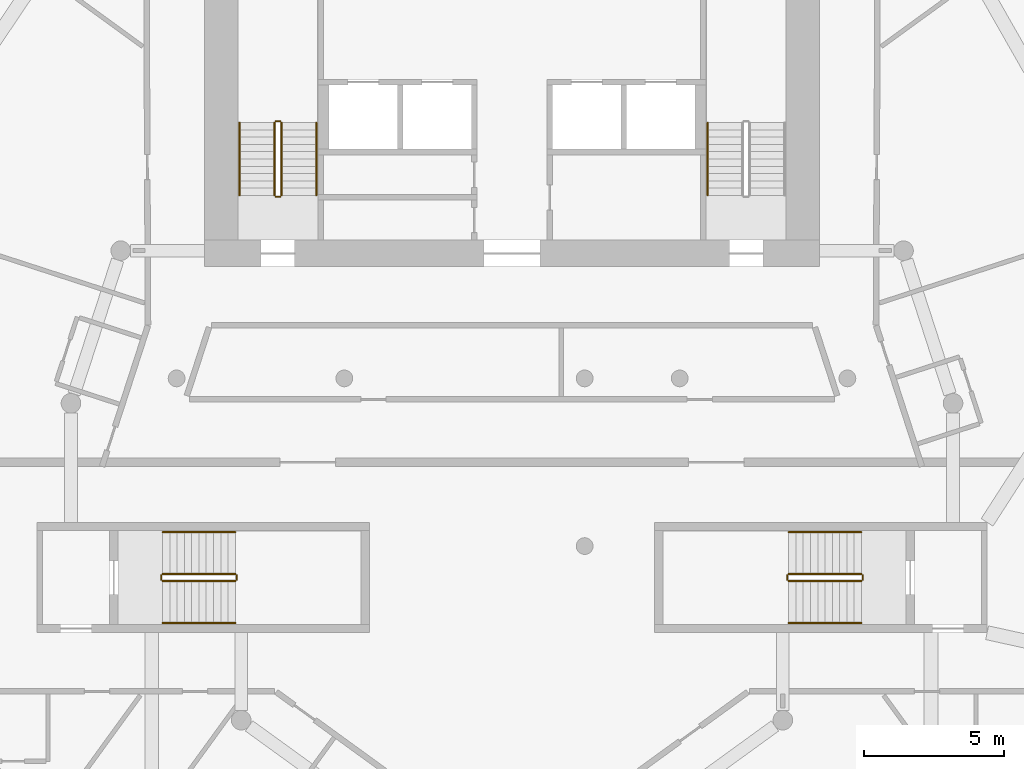
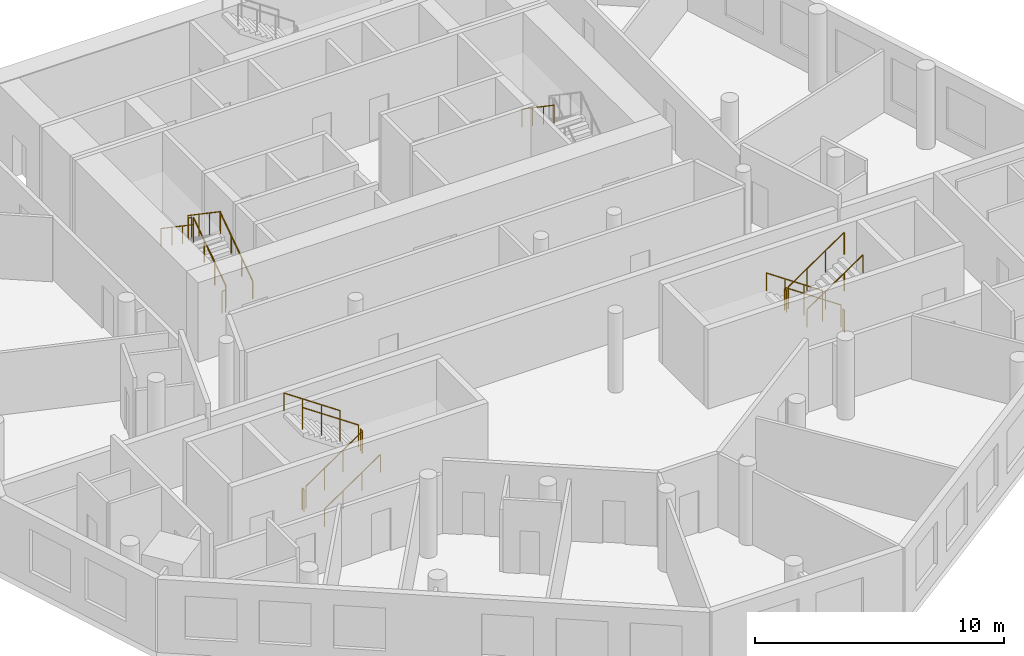
# One storey, part 8 of 9: 19 railings.
"""IFC4 building model written with IfcOpenShell, lengths in metres."""

from ifc_helpers import new_model, si_unit, direction, frame, origin, origin_2d, place, context, subcontext, project, spatial, circle, extrude, material, type_object, element, save


model = new_model("IFC4")

# Units and contexts
model_context = context("Model", 3, precision=1e-05, world=origin(), true_north=direction((0.0, 1.0)))
body_context = subcontext(model_context, "Body", "Model", "MODEL_VIEW")
ifc_project = project(units=[si_unit("LENGTHUNIT", "METRE"), si_unit("AREAUNIT", "SQUARE_METRE"), si_unit("VOLUMEUNIT", "CUBIC_METRE"), si_unit("PLANEANGLEUNIT", "RADIAN"), si_unit("MASSUNIT", "GRAM", prefix="KILO")], contexts=[model_context])

# Site, building, storey
site_placement = place(None, origin())
site = spatial("IfcSite", under=ifc_project, at=site_placement, CompositionType="ELEMENT")
building_placement = place(site_placement, origin())
building = spatial("IfcBuilding", under=site, at=building_placement, Name="White Candle Pilgrim Tower", CompositionType="ELEMENT")
storey_placement = place(building_placement, frame((0.0, 0.0, 179.800048828125)))
storey = spatial("IfcBuildingStorey", under=building, at=storey_placement, Name="L41", CompositionType="ELEMENT", Elevation=179.800048828125)

# Railings
ifc_material = material(Name="Stainless steel", Category="steel")
railing_type_1 = type_object("IfcRailingType", Name="Stair guard stainless steel 1100 mm", PredefinedType="GUARDRAIL", material=ifc_material)
railing_1_placement = place(storey_placement, frame((61.75, 73.550048828125, 0.17724609375)))
element("IfcRailing", 1, at=railing_1_placement, inside=storey, type_object=railing_type_1, Name="L41 ST1 stair guard 1", PredefinedType="GUARDRAIL", context=body_context, shape_type="SweptSolid", body=[
    extrude(circle(Radius=0.02392578125, at=origin_2d()), frame((0.0, 0.0, 1.076171875), z_axis=(0.0, 0.826215852431, 0.563353676824), x_axis=(-1.0, 0.0, 0.0)), (0.0, 0.0, 1.0), 3.146728515625),
    extrude(circle(Radius=0.02099609375, at=origin_2d()), origin(), (0.0, 0.0, 1.0), 1.052001953125),
    extrude(circle(Radius=0.02099609375, at=origin_2d()), frame((0.0, 0.86669921875, 0.5908203125)), (0.0, 0.0, 1.0), 1.052001953125),
    extrude(circle(Radius=0.02099609375, at=origin_2d()), frame((0.0, 1.733154296875, 1.181884765625)), (0.0, 0.0, 1.0), 1.052001953125),
    extrude(circle(Radius=0.02099609375, at=origin_2d()), frame((0.0, 2.599853515625, 1.772705078125)), (0.0, 0.0, 1.0), 1.052001953125),
])
railing_2_placement = place(storey_placement, frame((61.699951171875, 76.199951171875, 1.949951171875)))
element("IfcRailing", 2, at=railing_2_placement, inside=storey, type_object=railing_type_1, Name="L41 ST1 stair guard 2", PredefinedType="GUARDRAIL", context=body_context, shape_type="SweptSolid", body=[
    extrude(circle(Radius=0.02392578125, at=origin_2d()), frame((0.0, 0.0, 1.076171875), z_axis=(-1.0, 0.0, 0.0), x_axis=(0.0, -1.0, 0.0)), (0.0, 0.0, 1.0), 0.14990234375),
    extrude(circle(Radius=0.02099609375, at=origin_2d()), origin(), (0.0, 0.0, 1.0), 1.052001953125),
    extrude(circle(Radius=0.02099609375, at=origin_2d()), frame((-0.14990234375, 0.0, 0.0)), (0.0, 0.0, 1.0), 1.052001953125),
])
railing_3_placement = place(storey_placement, frame((61.5, 76.14990234375, 2.127197265625)))
element("IfcRailing", 3, at=railing_3_placement, inside=storey, type_object=railing_type_1, Name="L41 ST1 stair guard 3", PredefinedType="GUARDRAIL", context=body_context, shape_type="SweptSolid", body=[
    extrude(circle(Radius=0.02392578125, at=origin_2d()), frame((0.0, 0.0, 1.076171875), z_axis=(0.0, -0.826215852431, 0.563353676824), x_axis=(1.0, 0.0, 0.0)), (0.0, 0.0, 1.0), 3.146728515625),
    extrude(circle(Radius=0.02099609375, at=origin_2d()), origin(), (0.0, 0.0, 1.0), 1.052001953125),
    extrude(circle(Radius=0.02099609375, at=origin_2d()), frame((0.0, -0.86669921875, 0.5908203125)), (0.0, 0.0, 1.0), 1.052001953125),
    extrude(circle(Radius=0.02099609375, at=origin_2d()), frame((0.0, -1.733154296875, 1.181884765625)), (0.0, 0.0, 1.0), 1.052001953125),
    extrude(circle(Radius=0.02099609375, at=origin_2d()), frame((0.0, -2.599853515625, 1.772705078125)), (0.0, 0.0, 1.0), 1.052001953125),
])
railing_4_placement = place(storey_placement, frame((61.699951171875, 73.5, 0.0)))
element("IfcRailing", 4, at=railing_4_placement, inside=storey, type_object=railing_type_1, Name="L41 ST1 stair guard 4", PredefinedType="GUARDRAIL", context=body_context, shape_type="SweptSolid", body=[
    extrude(circle(Radius=0.02392578125, at=origin_2d()), frame((0.0, 0.0, 1.076171875), z_axis=(-1.0, 0.0, 0.0), x_axis=(0.0, -1.0, 0.0)), (0.0, 0.0, 1.0), 0.14990234375),
    extrude(circle(Radius=0.02099609375, at=origin_2d()), origin(), (0.0, 0.0, 1.0), 1.052001953125),
    extrude(circle(Radius=0.02099609375, at=origin_2d()), frame((-0.14990234375, 0.0, 0.0)), (0.0, 0.0, 1.0), 1.052001953125),
])
railing_5_placement = place(storey_placement, frame((82.5, 60.0, 0.17724609375)))
element("IfcRailing", 5, at=railing_5_placement, inside=storey, type_object=railing_type_1, Name="L41 ST4 stair guard 1", PredefinedType="GUARDRAIL", context=body_context, shape_type="SweptSolid", body=[
    extrude(circle(Radius=0.02392578125, at=origin_2d()), frame((0.0, 0.0, 1.076171875), z_axis=(-0.826240473404, 0.0, 0.563317565952), x_axis=(0.0, -1.0, 0.0)), (0.0, 0.0, 1.0), 3.14697265625),
    extrude(circle(Radius=0.02099609375, at=origin_2d()), origin(), (0.0, 0.0, 1.0), 1.052001953125),
    extrude(circle(Radius=0.02099609375, at=origin_2d()), frame((-0.86669921875, 0.0, 0.5908203125)), (0.0, 0.0, 1.0), 1.052001953125),
    extrude(circle(Radius=0.02099609375, at=origin_2d()), frame((-1.7333984375, 0.0, 1.181884765625)), (0.0, 0.0, 1.0), 1.052001953125),
    extrude(circle(Radius=0.02099609375, at=origin_2d()), frame((-2.60009765625, 0.0, 1.772705078125)), (0.0, 0.0, 1.0), 1.052001953125),
])
railing_6_placement = place(storey_placement, frame((79.85009765625, 59.949951171875, 1.949951171875)))
element("IfcRailing", 6, at=railing_6_placement, inside=storey, type_object=railing_type_1, Name="L41 ST4 stair guard 2", PredefinedType="GUARDRAIL", context=body_context, shape_type="SweptSolid", body=[
    extrude(circle(Radius=0.02392578125, at=origin_2d()), frame((0.0, 0.0, 1.076171875), z_axis=(0.0, -1.0, 0.0), x_axis=(1.0, 0.0, 0.0)), (0.0, 0.0, 1.0), 0.14990234375),
    extrude(circle(Radius=0.02099609375, at=origin_2d()), origin(), (0.0, 0.0, 1.0), 1.052001953125),
    extrude(circle(Radius=0.02099609375, at=origin_2d()), frame((0.0, -0.14990234375, 0.0)), (0.0, 0.0, 1.0), 1.052001953125),
])
railing_7_placement = place(storey_placement, frame((79.89990234375, 59.75, 2.127197265625)))
element("IfcRailing", 7, at=railing_7_placement, inside=storey, type_object=railing_type_1, Name="L41 ST4 stair guard 3", PredefinedType="GUARDRAIL", context=body_context, shape_type="SweptSolid", body=[
    extrude(circle(Radius=0.02392578125, at=origin_2d()), frame((0.0, 0.0, 1.076171875), z_axis=(0.826240473404, 0.0, 0.563317565952), x_axis=(0.0, 1.0, 0.0)), (0.0, 0.0, 1.0), 3.14697265625),
    extrude(circle(Radius=0.02099609375, at=origin_2d()), origin(), (0.0, 0.0, 1.0), 1.052001953125),
    extrude(circle(Radius=0.02099609375, at=origin_2d()), frame((0.86669921875, 0.0, 0.5908203125)), (0.0, 0.0, 1.0), 1.052001953125),
    extrude(circle(Radius=0.02099609375, at=origin_2d()), frame((1.7333984375, 0.0, 1.181884765625)), (0.0, 0.0, 1.0), 1.052001953125),
    extrude(circle(Radius=0.02099609375, at=origin_2d()), frame((2.60009765625, 0.0, 1.772705078125)), (0.0, 0.0, 1.0), 1.052001953125),
])
railing_8_placement = place(storey_placement, frame((82.550048828125, 59.949951171875, 0.0)))
element("IfcRailing", 8, at=railing_8_placement, inside=storey, type_object=railing_type_1, Name="L41 ST4 stair guard 4", PredefinedType="GUARDRAIL", context=body_context, shape_type="SweptSolid", body=[
    extrude(circle(Radius=0.02392578125, at=origin_2d()), frame((0.0, 0.0, 1.076171875), z_axis=(0.0, -1.0, 0.0), x_axis=(1.0, 0.0, 0.0)), (0.0, 0.0, 1.0), 0.14990234375),
    extrude(circle(Radius=0.02099609375, at=origin_2d()), origin(), (0.0, 0.0, 1.0), 1.052001953125),
    extrude(circle(Radius=0.02099609375, at=origin_2d()), frame((0.0, -0.14990234375, 0.0)), (0.0, 0.0, 1.0), 1.052001953125),
])
railing_9_placement = place(storey_placement, frame((57.5, 59.75, 0.17724609375)))
element("IfcRailing", 9, at=railing_9_placement, inside=storey, type_object=railing_type_1, Name="L41 ST5 stair guard 1", PredefinedType="GUARDRAIL", context=body_context, shape_type="SweptSolid", body=[
    extrude(circle(Radius=0.02392578125, at=origin_2d()), frame((0.0, 0.0, 1.076171875), z_axis=(0.826240473404, 0.0, 0.563317565952), x_axis=(0.0, 1.0, 0.0)), (0.0, 0.0, 1.0), 3.14697265625),
    extrude(circle(Radius=0.02099609375, at=origin_2d()), origin(), (0.0, 0.0, 1.0), 1.052001953125),
    extrude(circle(Radius=0.02099609375, at=origin_2d()), frame((0.86669921875, 0.0, 0.5908203125)), (0.0, 0.0, 1.0), 1.052001953125),
    extrude(circle(Radius=0.02099609375, at=origin_2d()), frame((1.7333984375, 0.0, 1.181884765625)), (0.0, 0.0, 1.0), 1.052001953125),
    extrude(circle(Radius=0.02099609375, at=origin_2d()), frame((2.60009765625, 0.0, 1.772705078125)), (0.0, 0.0, 1.0), 1.052001953125),
])
railing_10_placement = place(storey_placement, frame((60.14990234375, 59.800048828125, 1.949951171875)))
element("IfcRailing", 10, at=railing_10_placement, inside=storey, type_object=railing_type_1, Name="L41 ST5 stair guard 2", PredefinedType="GUARDRAIL", context=body_context, shape_type="SweptSolid", body=[
    extrude(circle(Radius=0.02392578125, at=origin_2d()), frame((0.0, 0.0, 1.076171875), z_axis=(0.0, 1.0, 0.0), x_axis=(-1.0, 0.0, 0.0)), (0.0, 0.0, 1.0), 0.14990234375),
    extrude(circle(Radius=0.02099609375, at=origin_2d()), origin(), (0.0, 0.0, 1.0), 1.052001953125),
    extrude(circle(Radius=0.02099609375, at=origin_2d()), frame((0.0, 0.14990234375, 0.0)), (0.0, 0.0, 1.0), 1.052001953125),
])
railing_11_placement = place(storey_placement, frame((60.10009765625, 60.0, 2.127197265625)))
element("IfcRailing", 11, at=railing_11_placement, inside=storey, type_object=railing_type_1, Name="L41 ST5 stair guard 3", PredefinedType="GUARDRAIL", context=body_context, shape_type="SweptSolid", body=[
    extrude(circle(Radius=0.02392578125, at=origin_2d()), frame((0.0, 0.0, 1.076171875), z_axis=(-0.826240473404, 0.0, 0.563317565952), x_axis=(0.0, -1.0, 0.0)), (0.0, 0.0, 1.0), 3.14697265625),
    extrude(circle(Radius=0.02099609375, at=origin_2d()), origin(), (0.0, 0.0, 1.0), 1.052001953125),
    extrude(circle(Radius=0.02099609375, at=origin_2d()), frame((-0.86669921875, 0.0, 0.5908203125)), (0.0, 0.0, 1.0), 1.052001953125),
    extrude(circle(Radius=0.02099609375, at=origin_2d()), frame((-1.7333984375, 0.0, 1.181884765625)), (0.0, 0.0, 1.0), 1.052001953125),
    extrude(circle(Radius=0.02099609375, at=origin_2d()), frame((-2.60009765625, 0.0, 1.772705078125)), (0.0, 0.0, 1.0), 1.052001953125),
])
railing_12_placement = place(storey_placement, frame((57.449951171875, 59.800048828125, 0.0)))
element("IfcRailing", 12, at=railing_12_placement, inside=storey, type_object=railing_type_1, Name="L41 ST5 stair guard 4", PredefinedType="GUARDRAIL", context=body_context, shape_type="SweptSolid", body=[
    extrude(circle(Radius=0.02392578125, at=origin_2d()), frame((0.0, 0.0, 1.076171875), z_axis=(0.0, 1.0, 0.0), x_axis=(-1.0, 0.0, 0.0)), (0.0, 0.0, 1.0), 0.14990234375),
    extrude(circle(Radius=0.02099609375, at=origin_2d()), origin(), (0.0, 0.0, 1.0), 1.052001953125),
    extrude(circle(Radius=0.02099609375, at=origin_2d()), frame((0.0, 0.14990234375, 0.0)), (0.0, 0.0, 1.0), 1.052001953125),
])
railing_type_2 = type_object("IfcRailingType", Name="Stair handrail stainless steel", PredefinedType="HANDRAIL", material=ifc_material)
railing_13_placement = place(storey_placement, frame((63.0, 73.550048828125, 0.17724609375)))
element("IfcRailing", 13, at=railing_13_placement, inside=storey, type_object=railing_type_2, Name="L41 ST1 stair handrail 1", PredefinedType="HANDRAIL", context=body_context, shape_type="SweptSolid", body=[
    extrude(circle(Radius=0.02392578125, at=origin_2d()), frame((0.0, 0.0, 0.8759765625), z_axis=(0.0, 0.826215852431, 0.563353676824), x_axis=(-1.0, 0.0, 0.0)), (0.0, 0.0, 1.0), 3.146728515625),
    extrude(circle(Radius=0.02099609375, at=origin_2d()), origin(), (0.0, 0.0, 1.0), 0.851806640625),
    extrude(circle(Radius=0.02099609375, at=origin_2d()), frame((0.0, 0.86669921875, 0.5908203125)), (0.0, 0.0, 1.0), 0.851806640625),
    extrude(circle(Radius=0.02099609375, at=origin_2d()), frame((0.0, 1.733154296875, 1.181884765625)), (0.0, 0.0, 1.0), 0.851806640625),
    extrude(circle(Radius=0.02099609375, at=origin_2d()), frame((0.0, 2.599853515625, 1.772705078125)), (0.0, 0.0, 1.0), 0.851806640625),
])
for number, where, name in (
    (14, (60.25, 76.14990234375, 2.127197265625), "L41 ST1 stair handrail 2"),
    (15, (77.0, 76.14990234375, 2.127197265625), "L41 ST2 stair handrail 2"),
):
    element("IfcRailing", number, at=place(storey_placement, frame(where)), inside=storey, type_object=railing_type_2, Name=name, PredefinedType="HANDRAIL", context=body_context, shape_type="SweptSolid", body=[
        extrude(circle(Radius=0.02392578125, at=origin_2d()), frame((0.0, 0.0, 0.8759765625), z_axis=(0.0, -0.826215852431, 0.563353676824), x_axis=(1.0, 0.0, 0.0)), (0.0, 0.0, 1.0), 3.146728515625),
        extrude(circle(Radius=0.02099609375, at=origin_2d()), origin(), (0.0, 0.0, 1.0), 0.851806640625),
        extrude(circle(Radius=0.02099609375, at=origin_2d()), frame((0.0, -0.86669921875, 0.5908203125)), (0.0, 0.0, 1.0), 0.851806640625),
        extrude(circle(Radius=0.02099609375, at=origin_2d()), frame((0.0, -1.733154296875, 1.181884765625)), (0.0, 0.0, 1.0), 0.851806640625),
        extrude(circle(Radius=0.02099609375, at=origin_2d()), frame((0.0, -2.599853515625, 1.772705078125)), (0.0, 0.0, 1.0), 0.851806640625),
    ])
railing_14_placement = place(storey_placement, frame((82.5, 61.5, 0.17724609375)))
element("IfcRailing", 16, at=railing_14_placement, inside=storey, type_object=railing_type_2, Name="L41 ST4 stair handrail 1", PredefinedType="HANDRAIL", context=body_context, shape_type="SweptSolid", body=[
    extrude(circle(Radius=0.02392578125, at=origin_2d()), frame((0.0, 0.0, 0.8759765625), z_axis=(-0.826240473404, 0.0, 0.563317565952), x_axis=(0.0, -1.0, 0.0)), (0.0, 0.0, 1.0), 3.14697265625),
    extrude(circle(Radius=0.02099609375, at=origin_2d()), origin(), (0.0, 0.0, 1.0), 0.851806640625),
    extrude(circle(Radius=0.02099609375, at=origin_2d()), frame((-0.86669921875, 0.0, 0.5908203125)), (0.0, 0.0, 1.0), 0.851806640625),
    extrude(circle(Radius=0.02099609375, at=origin_2d()), frame((-1.7333984375, 0.0, 1.181884765625)), (0.0, 0.0, 1.0), 0.851806640625),
    extrude(circle(Radius=0.02099609375, at=origin_2d()), frame((-2.60009765625, 0.0, 1.772705078125)), (0.0, 0.0, 1.0), 0.851806640625),
])
for number, where, name in (
    (17, (79.89990234375, 58.25, 2.127197265625), "L41 ST4 stair handrail 2"),
    (18, (57.5, 58.25, 0.17724609375), "L41 ST5 stair handrail 1"),
):
    element("IfcRailing", number, at=place(storey_placement, frame(where)), inside=storey, type_object=railing_type_2, Name=name, PredefinedType="HANDRAIL", context=body_context, shape_type="SweptSolid", body=[
        extrude(circle(Radius=0.02392578125, at=origin_2d()), frame((0.0, 0.0, 0.8759765625), z_axis=(0.826240473404, 0.0, 0.563317565952), x_axis=(0.0, 1.0, 0.0)), (0.0, 0.0, 1.0), 3.14697265625),
        extrude(circle(Radius=0.02099609375, at=origin_2d()), origin(), (0.0, 0.0, 1.0), 0.851806640625),
        extrude(circle(Radius=0.02099609375, at=origin_2d()), frame((0.86669921875, 0.0, 0.5908203125)), (0.0, 0.0, 1.0), 0.851806640625),
        extrude(circle(Radius=0.02099609375, at=origin_2d()), frame((1.7333984375, 0.0, 1.181884765625)), (0.0, 0.0, 1.0), 0.851806640625),
        extrude(circle(Radius=0.02099609375, at=origin_2d()), frame((2.60009765625, 0.0, 1.772705078125)), (0.0, 0.0, 1.0), 0.851806640625),
    ])
railing_15_placement = place(storey_placement, frame((60.10009765625, 61.5, 2.127197265625)))
element("IfcRailing", 19, at=railing_15_placement, inside=storey, type_object=railing_type_2, Name="L41 ST5 stair handrail 2", PredefinedType="HANDRAIL", context=body_context, shape_type="SweptSolid", body=[
    extrude(circle(Radius=0.02392578125, at=origin_2d()), frame((0.0, 0.0, 0.8759765625), z_axis=(-0.826240473404, 0.0, 0.563317565952), x_axis=(0.0, -1.0, 0.0)), (0.0, 0.0, 1.0), 3.14697265625),
    extrude(circle(Radius=0.02099609375, at=origin_2d()), origin(), (0.0, 0.0, 1.0), 0.851806640625),
    extrude(circle(Radius=0.02099609375, at=origin_2d()), frame((-0.86669921875, 0.0, 0.5908203125)), (0.0, 0.0, 1.0), 0.851806640625),
    extrude(circle(Radius=0.02099609375, at=origin_2d()), frame((-1.7333984375, 0.0, 1.181884765625)), (0.0, 0.0, 1.0), 0.851806640625),
    extrude(circle(Radius=0.02099609375, at=origin_2d()), frame((-2.60009765625, 0.0, 1.772705078125)), (0.0, 0.0, 1.0), 0.851806640625),
])

save(model, "model.ifc")
